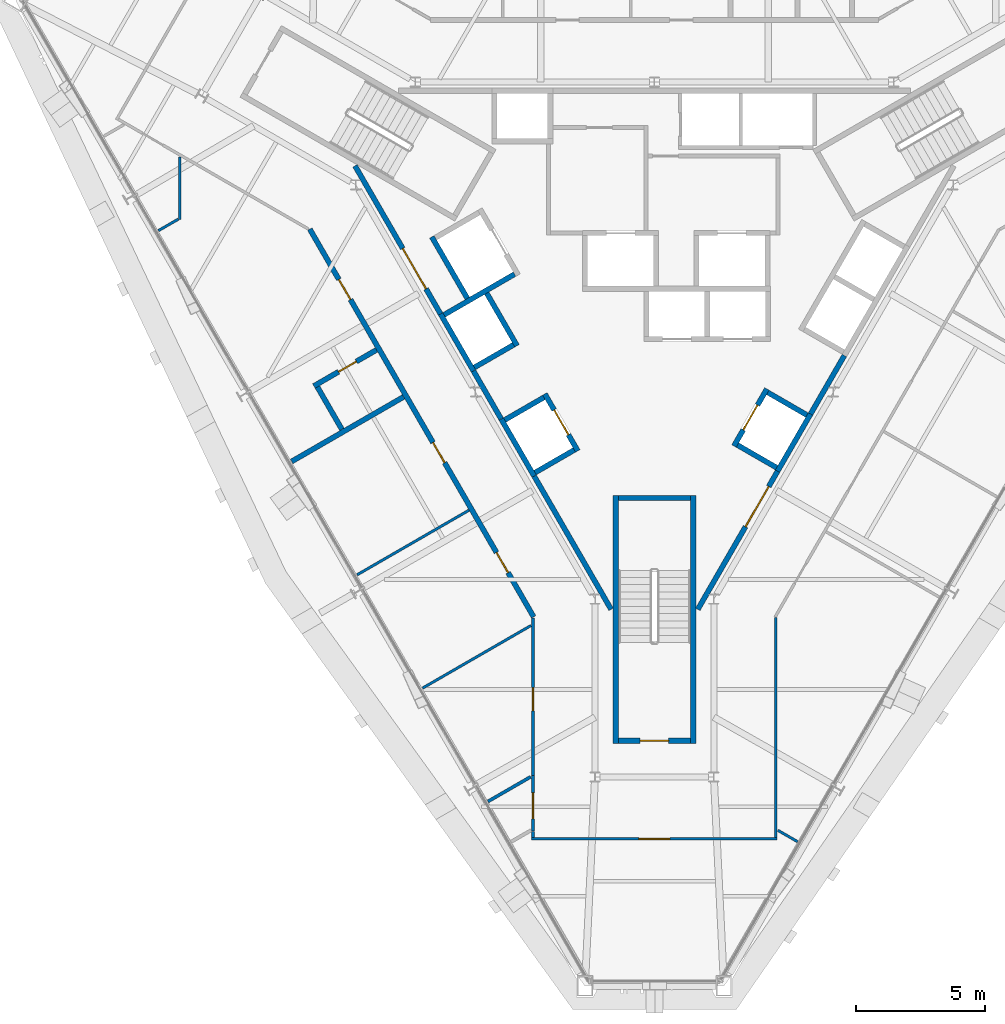
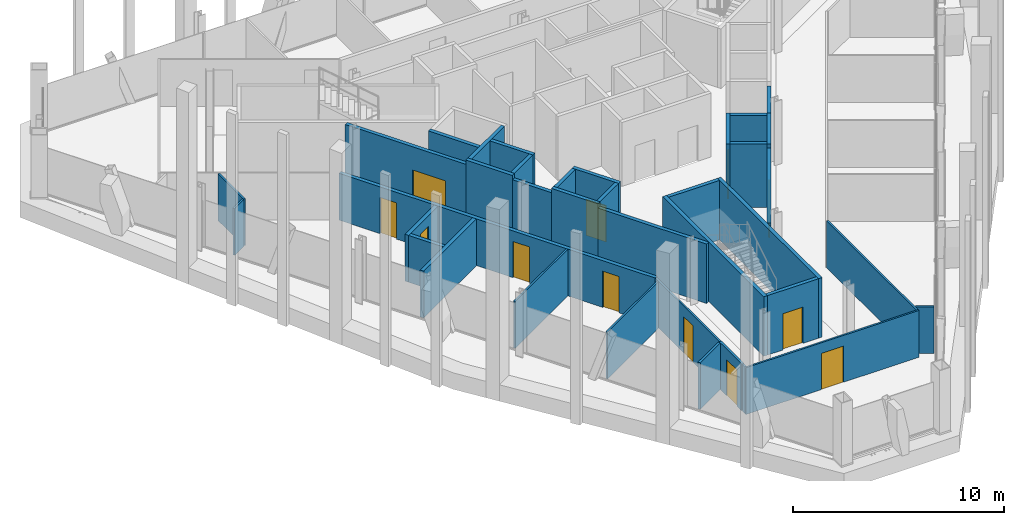
# One storey, part 9 of 14: 37 walls, 12 doors, 12 openings.
"""IFC4 building model written with IfcOpenShell, lengths in metres."""

from ifc_helpers import new_model, si_unit, direction, frame, frame_2d, origin, place, context, subcontext, project, spatial, rectangle, extrude, material, layer, layer_set, type_object, element, fill, save


model = new_model("IFC4")

# Units and contexts
model_context = context("Model", 3, precision=1e-05, world=origin(), true_north=direction((0.0, 1.0)))
body_context = subcontext(model_context, "Body", "Model", "MODEL_VIEW")
ifc_project = project(units=[si_unit("LENGTHUNIT", "METRE"), si_unit("AREAUNIT", "SQUARE_METRE"), si_unit("VOLUMEUNIT", "CUBIC_METRE"), si_unit("PLANEANGLEUNIT", "RADIAN"), si_unit("MASSUNIT", "GRAM", prefix="KILO")], contexts=[model_context])

# Site, building, storey
site_placement = place(None, origin())
site = spatial("IfcSite", under=ifc_project, at=site_placement, CompositionType="ELEMENT")
building_placement = place(site_placement, origin())
building = spatial("IfcBuilding", under=site, at=building_placement, Name="Verrane Prism Tower", CompositionType="ELEMENT")
storey_placement = place(building_placement, frame((0.0, 0.0, 217.5)))
storey = spatial("IfcBuildingStorey", under=building, at=storey_placement, Name="L54", CompositionType="ELEMENT", Elevation=217.5)

# Wall, opening, door
ifc_material_1 = material(Name="Gypsum board partition", Category="other")
ifc_layer_1 = layer(ifc_material_1, 0.199951171875)
ifc_layer_set_1 = layer_set([ifc_layer_1], Name="CW-200 core boundary wall 2 h")
wall_type_1 = type_object("IfcWallType", Name="CW-200 core boundary wall 2 h", PredefinedType="PARTITIONING", material=ifc_layer_set_1)
wall_1_placement = place(storey_placement, frame((-11.590576171875, 4.7548828125, 0.0), z_axis=(0.0, 0.0, 1.0), x_axis=(0.500043977787, -0.866000011708, 0.0)))
wall_1 = element("IfcWall", 1, at=wall_1_placement, inside=storey, type_object=wall_type_1, Name="Core boundary wall CW3-001", PredefinedType="PARTITIONING", context=body_context, shape_type="SweptSolid", body=[
    extrude(rectangle(XDim=6.61669921875, YDim=0.199951171875, at=frame_2d((3.308349609375, 0.0))), origin(), (0.0, 0.0, 1.0), 3.449951171875),
])
opening_1_placement = place(wall_1_placement, frame((3.695068359375, 0.0, 0.0)))
opening_1 = element("IfcOpeningElement", 2, at=opening_1_placement, cuts=wall_1, Name="Opening D54510", PredefinedType="OPENING", context=body_context, shape_type="SweptSolid", body=[
    extrude(rectangle(XDim=1.800048828125, YDim=2.10009765625, at=frame_2d((0.89990234375, 1.050048828125))), frame((0.0, 0.10986328125, 0.0), z_axis=(0.0, -1.0, 0.0), x_axis=(1.0, 0.0, 0.0)), (0.0, 0.0, 1.0), 0.219970703125),
])
ifc_material_2 = material(Name="Timber veneered door leaf", Category="wood")
door_type_1 = type_object("IfcDoorType", Name="DR-1800x2100 FD60 double leaf lift lobby", OperationType="NOTDEFINED", PredefinedType="DOOR", material=ifc_material_2)
door_1_placement = place(opening_1_placement, origin())
door_1 = element("IfcDoor", 3, at=door_1_placement, inside=storey, type_object=door_type_1, Name="Lift lobby door D54510", OperationType="DOUBLE_DOOR_SINGLE_SWING", OverallHeight=2.10009765625, OverallWidth=1.800048828125, PredefinedType="DOOR", context=body_context, shape_type="SweptSolid", body=[
    extrude(rectangle(XDim=1.800048828125, YDim=2.10009765625, at=frame_2d((0.89990234375, 1.050048828125))), frame((0.0, 0.02490234375, 0.0), z_axis=(0.0, -1.0, 0.0), x_axis=(1.0, 0.0, 0.0)), (0.0, 0.0, 1.0), 0.050048828125),
])
fill(opening_1, door_1)

# Walls
wall_2_placement = place(storey_placement, frame((-7.0048828125, -3.18701171875, 0.0), z_axis=(0.0, 0.0, 1.0), x_axis=(0.499689606989, -0.866204535123, 0.0)))
element("IfcWall", 4, at=wall_2_placement, inside=storey, type_object=wall_type_1, Name="Core boundary wall CW3-003", PredefinedType="PARTITIONING", context=body_context, shape_type="SweptSolid", body=[
    extrude(rectangle(XDim=2.144775390625, YDim=0.199951171875, at=frame_2d((1.072265625, 0.0))), origin(), (0.0, 0.0, 1.0), 3.449951171875),
])
wall_3_placement = place(storey_placement, frame((-4.655029296875, -7.257080078125, 0.0), z_axis=(0.0, 0.0, 1.0), x_axis=(0.499966124405, -0.866044960985, 0.0)))
element("IfcWall", 5, at=wall_3_placement, inside=storey, type_object=wall_type_1, Name="Core boundary wall CW3-004", PredefinedType="PARTITIONING", context=body_context, shape_type="SweptSolid", body=[
    extrude(rectangle(XDim=5.95556640625, YDim=0.199951171875, at=frame_2d((2.977783203125, 0.0))), origin(), (0.0, 0.0, 1.0), 3.449951171875),
])

# Wall, opening, door
wall_4_placement = place(storey_placement, frame((1.677490234375, -12.414794921875, 0.0), z_axis=(0.0, 0.0, 1.0), x_axis=(0.500054337157, 0.865994029939, 0.0)))
wall_4 = element("IfcWall", 6, at=wall_4_placement, inside=storey, type_object=wall_type_1, Name="Core boundary wall CW3-006", PredefinedType="PARTITIONING", context=body_context, shape_type="SweptSolid", body=[
    extrude(rectangle(XDim=6.176513671875, YDim=0.199951171875, at=frame_2d((3.08837890625, 0.0))), origin(), (0.0, 0.0, 1.0), 3.449951171875),
])
opening_2_placement = place(wall_4_placement, frame((3.695068359375, 0.0, 0.0)))
opening_2 = element("IfcOpeningElement", 7, at=opening_2_placement, cuts=wall_4, Name="Opening D54515", PredefinedType="OPENING", context=body_context, shape_type="SweptSolid", body=[
    extrude(rectangle(XDim=1.800048828125, YDim=2.10009765625, at=frame_2d((0.89990234375, 1.050048828125))), frame((0.0, 0.10986328125, 0.0), z_axis=(0.0, -1.0, 0.0), x_axis=(1.0, 0.0, 0.0)), (0.0, 0.0, 1.0), 0.219970703125),
])
door_2_placement = place(opening_2_placement, origin())
door_2 = element("IfcDoor", 8, at=door_2_placement, inside=storey, type_object=door_type_1, Name="Lift lobby door D54515", OperationType="DOUBLE_DOOR_SINGLE_SWING", OverallHeight=2.10009765625, OverallWidth=1.800048828125, PredefinedType="DOOR", context=body_context, shape_type="SweptSolid", body=[
    extrude(rectangle(XDim=1.800048828125, YDim=2.10009765625, at=frame_2d((0.89990234375, 1.050048828125))), frame((0.0, 0.02490234375, 0.0), z_axis=(0.0, -1.0, 0.0), x_axis=(1.0, 0.0, 0.0)), (0.0, 0.0, 1.0), 0.050048828125),
])
fill(opening_2, door_2)

# Wall
wall_5_placement = place(storey_placement, frame((6.0419921875, -4.85498046875, 0.0), z_axis=(0.0, 0.0, 1.0), x_axis=(0.500252727967, 0.865879442048, 0.0)))
element("IfcWall", 9, at=wall_5_placement, inside=storey, type_object=wall_type_1, Name="Core boundary wall CW3-007", PredefinedType="PARTITIONING", context=body_context, shape_type="SweptSolid", body=[
    extrude(rectangle(XDim=2.616943359375, YDim=0.199951171875, at=frame_2d((1.30859375, 0.0))), origin(), (0.0, 0.0, 1.0), 3.449951171875),
])

# Wall, opening, door
ifc_material_3 = material(Name="Concrete C40/50", Category="concrete")
ifc_layer_2 = layer(ifc_material_3, 0.199951171875)
ifc_layer_set_2 = layer_set([ifc_layer_2], Name="CW-200 stair core wall concrete C40/50 3 h")
wall_type_2 = type_object("IfcWallType", Name="CW-200 stair core wall concrete C40/50 3 h", PredefinedType="PARTITIONING", material=ifc_layer_set_2)
wall_6_placement = place(storey_placement, frame((-1.39990234375, -17.5, 0.0), z_axis=(0.0, 0.0, 1.0), x_axis=(1.0, 0.0, 0.0)))
wall_6 = element("IfcWall", 10, at=wall_6_placement, inside=storey, type_object=wall_type_2, Name="Stair 3 enclosure wall", PredefinedType="PARTITIONING", context=body_context, shape_type="SweptSolid", body=[
    extrude(rectangle(XDim=2.7998046875, YDim=0.199951171875, at=frame_2d((1.39990234375, 0.0))), origin(), (0.0, 0.0, 1.0), 3.449951171875),
])
opening_3_placement = place(wall_6_placement, frame((0.85009765625, 0.0, 0.0)))
opening_3 = element("IfcOpeningElement", 11, at=opening_3_placement, cuts=wall_6, Name="Opening D54502", PredefinedType="OPENING", context=body_context, shape_type="SweptSolid", body=[
    extrude(rectangle(XDim=1.10009765625, YDim=2.10009765625, at=frame_2d((0.550048828125, 1.050048828125))), frame((0.0, 0.10986328125, 0.0), z_axis=(0.0, -1.0, 0.0), x_axis=(1.0, 0.0, 0.0)), (0.0, 0.0, 1.0), 0.219970703125),
])
ifc_material_4 = material(Name="Timber veneered door leaf", Category="wood")
door_type_2 = type_object("IfcDoorType", Name="DR-1100x2100 FD90 single leaf stair", OperationType="NOTDEFINED", PredefinedType="DOOR", material=ifc_material_4)
door_3_placement = place(opening_3_placement, origin())
door_3 = element("IfcDoor", 12, at=door_3_placement, inside=storey, type_object=door_type_2, Name="Stair 3 door", OperationType="SINGLE_SWING_LEFT", OverallHeight=2.10009765625, OverallWidth=1.10009765625, PredefinedType="DOOR", context=body_context, shape_type="SweptSolid", body=[
    extrude(rectangle(XDim=1.10009765625, YDim=2.10009765625, at=frame_2d((0.550048828125, 1.050048828125))), frame((0.0, 0.02490234375, 0.0), z_axis=(0.0, -1.0, 0.0), x_axis=(1.0, 0.0, 0.0)), (0.0, 0.0, 1.0), 0.050048828125),
])
fill(opening_3, door_3)

# Walls
for number, where, z_axis, x_axis, name in (
    (13, (1.5, -8.0, 0.0), (0.0, 0.0, 1.0), (0.0, -1.0, 0.0), "Stair 3 enclosure wall"),
    (14, (-1.5, -8.0, 0.0), (0.0, 0.0, 1.0), (0.0, -1.0, 0.0), "Stair 3 enclosure wall"),
):
    element("IfcWall", number, at=place(storey_placement, frame(where, z_axis=z_axis, x_axis=x_axis)), inside=storey, type_object=wall_type_2, Name=name, PredefinedType="PARTITIONING", context=body_context, shape_type="SweptSolid", body=[
        extrude(rectangle(XDim=9.60009765625, YDim=0.199951171875, at=frame_2d((4.800048828125, 0.0))), origin(), (0.0, 0.0, 1.0), 3.449951171875),
    ])
wall_7_placement = place(storey_placement, frame((-1.39990234375, -8.10009765625, 0.0), z_axis=(0.0, 0.0, 1.0), x_axis=(1.0, 0.0, 0.0)))
element("IfcWall", 15, at=wall_7_placement, inside=storey, type_object=wall_type_2, Name="Stair 3 enclosure wall", PredefinedType="PARTITIONING", context=body_context, shape_type="SweptSolid", body=[
    extrude(rectangle(XDim=2.7998046875, YDim=0.199951171875, at=frame_2d((1.39990234375, 0.0))), origin(), (0.0, 0.0, 1.0), 3.449951171875),
])
ifc_material_5 = material(Name="Gypsum board shaft wall assembly", Category="other")
ifc_layer_3 = layer(ifc_material_5, 0.199951171875)
ifc_layer_set_3 = layer_set([ifc_layer_3], Name="HW-200 lift shaft wall 2 h")
wall_type_3 = type_object("IfcWallType", Name="HW-200 lift shaft wall 2 h", PredefinedType="PARTITIONING", material=ifc_layer_set_3)
for number, where, z_axis, x_axis, name in (
    (16, (-4.61962890625, -7.118408203125, 0.0), (0.0, 0.0, 1.0), (0.866036909293, 0.499980071345, 0.0), "Lift shaft wall"),
    (17, (-5.794677734375, -5.083251953125, 0.0), (0.0, 0.0, 1.0), (0.866036909293, 0.499980071345, 0.0), "Lift shaft wall"),
    (18, (-6.9697265625, -3.048095703125, 0.0), (0.0, 0.0, 1.0), (0.866036909293, 0.499980071345, 0.0), "Lift shaft wall"),
):
    element("IfcWall", number, at=place(storey_placement, frame(where, z_axis=z_axis, x_axis=x_axis)), inside=storey, type_object=wall_type_3, Name=name, PredefinedType="PARTITIONING", context=body_context, shape_type="SweptSolid", body=[
        extrude(rectangle(XDim=1.75, YDim=0.199951171875, at=frame_2d((0.875, 0.0))), origin(), (0.0, 0.0, 1.0), 3.699951171875),
    ])
wall_8_placement = place(storey_placement, frame((-8.14453125, -1.012939453125, 0.0), z_axis=(0.0, 0.0, 1.0), x_axis=(0.866016494683, 0.500015430699, 0.0)))
element("IfcWall", 19, at=wall_8_placement, inside=storey, type_object=wall_type_3, Name="Lift shaft wall", PredefinedType="PARTITIONING", context=body_context, shape_type="SweptSolid", body=[
    extrude(rectangle(XDim=3.14990234375, YDim=0.199951171875, at=frame_2d((1.574951171875, 0.0))), origin(), (0.0, 0.0, 1.0), 3.699951171875),
])
wall_9_placement = place(storey_placement, frame((4.766357421875, -7.064697265625, 0.0), z_axis=(0.0, 0.0, 1.0), x_axis=(0.499948979701, 0.866054858364, 0.0)))
element("IfcWall", 20, at=wall_9_placement, inside=storey, type_object=wall_type_3, Name="Lift shaft wall", PredefinedType="PARTITIONING", context=body_context, shape_type="SweptSolid", body=[
    extrude(rectangle(XDim=2.550048828125, YDim=0.199951171875, at=frame_2d((1.27490234375, 0.0))), origin(), (0.0, 0.0, 1.0), 3.699951171875),
])

# Wall, opening, door
wall_10_placement = place(storey_placement, frame((3.077392578125, -6.089599609375, 0.0), z_axis=(0.0, 0.0, 1.0), x_axis=(0.500062241894, 0.865989465428, 0.0)))
wall_10 = element("IfcWall", 21, at=wall_10_placement, inside=storey, type_object=wall_type_3, Name="Lift shaft wall", PredefinedType="PARTITIONING", context=body_context, shape_type="SweptSolid", body=[
    extrude(rectangle(XDim=2.550048828125, YDim=0.199951171875, at=frame_2d((1.27490234375, 0.0))), origin(), (0.0, 0.0, 1.0), 3.699951171875),
])
opening_4_placement = place(wall_10_placement, frame((0.72509765625, 0.0, 0.0)))
opening_4 = element("IfcOpeningElement", 22, at=opening_4_placement, cuts=wall_10, Name="Opening D54505", PredefinedType="OPENING", context=body_context, shape_type="SweptSolid", body=[
    extrude(rectangle(XDim=1.10009765625, YDim=2.10009765625, at=frame_2d((0.550048828125, 1.050048828125))), frame((0.0, 0.10986328125, 0.0), z_axis=(0.0, -1.0, 0.0), x_axis=(1.0, 0.0, 0.0)), (0.0, 0.0, 1.0), 0.219970703125),
])
ifc_material_6 = material(Name="Stainless steel sliding landing door", Category="steel")
door_type_3 = type_object("IfcDoorType", Name="LD-1100x2100 lift landing door FD90 sliding", OperationType="NOTDEFINED", PredefinedType="DOOR", material=ifc_material_6)
door_4_placement = place(opening_4_placement, origin())
door_4 = element("IfcDoor", 23, at=door_4_placement, inside=storey, type_object=door_type_3, Name="Bank B lift 3 landing door", OperationType="SLIDING_TO_LEFT", OverallHeight=2.10009765625, OverallWidth=1.10009765625, PredefinedType="DOOR", context=body_context, shape_type="SweptSolid", body=[
    extrude(rectangle(XDim=1.10009765625, YDim=2.10009765625, at=frame_2d((0.550048828125, 1.050048828125))), frame((0.0, 0.02490234375, 0.0), z_axis=(0.0, -1.0, 0.0), x_axis=(1.0, 0.0, 0.0)), (0.0, 0.0, 1.0), 0.050048828125),
])
fill(opening_4, door_4)

wall_11_placement = place(storey_placement, frame((-2.967529296875, -6.280029296875, 0.0), z_axis=(0.0, 0.0, 1.0), x_axis=(-0.499990435942, 0.866030925526, 0.0)))
wall_11 = element("IfcWall", 24, at=wall_11_placement, inside=storey, type_object=wall_type_3, Name="Lift shaft wall", PredefinedType="PARTITIONING", context=body_context, shape_type="SweptSolid", body=[
    extrude(rectangle(XDim=2.5498046875, YDim=0.199951171875, at=frame_2d((1.27490234375, 0.0))), origin(), (0.0, 0.0, 1.0), 3.699951171875),
])
opening_5_placement = place(wall_11_placement, frame((0.72509765625, 0.0, 0.0)))
opening_5 = element("IfcOpeningElement", 25, at=opening_5_placement, cuts=wall_11, Name="Opening D54506", PredefinedType="OPENING", context=body_context, shape_type="SweptSolid", body=[
    extrude(rectangle(XDim=1.10009765625, YDim=2.10009765625, at=frame_2d((0.550048828125, 1.050048828125))), frame((0.0, 0.10986328125, 0.0), z_axis=(0.0, -1.0, 0.0), x_axis=(1.0, 0.0, 0.0)), (0.0, 0.0, 1.0), 0.219970703125),
])
door_5_placement = place(opening_5_placement, origin())
door_5 = element("IfcDoor", 26, at=door_5_placement, inside=storey, type_object=door_type_3, Name="Bank B lift 4 landing door", OperationType="SLIDING_TO_RIGHT", OverallHeight=2.10009765625, OverallWidth=1.10009765625, PredefinedType="DOOR", context=body_context, shape_type="SweptSolid", body=[
    extrude(rectangle(XDim=1.10009765625, YDim=2.10009765625, at=frame_2d((0.550048828125, 1.050048828125))), frame((0.0, 0.02490234375, 0.0), z_axis=(0.0, -1.0, 0.0), x_axis=(1.0, 0.0, 0.0)), (0.0, 0.0, 1.0), 0.050048828125),
])
fill(opening_5, door_5)

# Walls
wall_12_placement = place(storey_placement, frame((-5.317626953125, -2.209716796875, 0.0), z_axis=(0.0, 0.0, 1.0), x_axis=(-0.499938297808, 0.866061024631, 0.0)))
element("IfcWall", 27, at=wall_12_placement, inside=storey, type_object=wall_type_3, Name="Lift shaft wall", PredefinedType="PARTITIONING", context=body_context, shape_type="SweptSolid", body=[
    extrude(rectangle(XDim=2.349853515625, YDim=0.199951171875, at=frame_2d((1.1748046875, 0.0))), origin(), (0.0, 0.0, 1.0), 3.699951171875),
])
wall_13_placement = place(storey_placement, frame((-7.241943359375, -0.37646484375, 0.0), z_axis=(0.0, 0.0, 1.0), x_axis=(-0.499996545922, 0.866027397988, 0.0)))
element("IfcWall", 28, at=wall_13_placement, inside=storey, type_object=wall_type_3, Name="Lift shaft wall", PredefinedType="PARTITIONING", context=body_context, shape_type="SweptSolid", body=[
    extrude(rectangle(XDim=2.75, YDim=0.199951171875, at=frame_2d((1.375, 0.0))), origin(), (0.0, 0.0, 1.0), 3.699951171875),
])
for number, where, z_axis, x_axis, name in (
    (29, (-4.65625, -7.255126953125, 0.0), (0.0, 0.0, 1.0), (-0.499990435942, 0.866030925526, 0.0), "Lift shaft wall"),
    (30, (-7.00634765625, -3.184814453125, 0.0), (0.0, 0.0, 1.0), (-0.499990435942, 0.866030925526, 0.0), "Lift shaft wall"),
):
    element("IfcWall", number, at=place(storey_placement, frame(where, z_axis=z_axis, x_axis=x_axis)), inside=storey, type_object=wall_type_3, Name=name, PredefinedType="PARTITIONING", context=body_context, shape_type="SweptSolid", body=[
        extrude(rectangle(XDim=2.5498046875, YDim=0.199951171875, at=frame_2d((1.27490234375, 0.0))), origin(), (0.0, 0.0, 1.0), 3.699951171875),
    ])
wall_14_placement = place(storey_placement, frame((5.904541015625, -4.892822265625, 0.0), z_axis=(0.0, 0.0, 1.0), x_axis=(-0.866002029911, 0.500040482552, 0.0)))
element("IfcWall", 31, at=wall_14_placement, inside=storey, type_object=wall_type_3, Name="Lift shaft wall", PredefinedType="PARTITIONING", context=body_context, shape_type="SweptSolid", body=[
    extrude(rectangle(XDim=1.749755859375, YDim=0.199951171875, at=frame_2d((0.875, 0.0))), origin(), (0.0, 0.0, 1.0), 3.699951171875),
])
wall_15_placement = place(storey_placement, frame((4.729736328125, -6.927978515625, 0.0), z_axis=(0.0, 0.0, 1.0), x_axis=(-0.866036909293, 0.499980071345, 0.0)))
element("IfcWall", 32, at=wall_15_placement, inside=storey, type_object=wall_type_3, Name="Lift shaft wall", PredefinedType="PARTITIONING", context=body_context, shape_type="SweptSolid", body=[
    extrude(rectangle(XDim=1.75, YDim=0.199951171875, at=frame_2d((0.875, 0.0))), origin(), (0.0, 0.0, 1.0), 3.699951171875),
])
ifc_material_7 = material(Name="Gypsum board partition", Category="other")
ifc_layer_4 = layer(ifc_material_7, 0.10009765625)
ifc_layer_set_4 = layer_set([ifc_layer_4], Name="PW-100 room partition")
wall_type_4 = type_object("IfcWallType", Name="PW-100 room partition", PredefinedType="PARTITIONING", material=ifc_layer_set_4)
wall_16_placement = place(storey_placement, frame((-19.201904296875, 2.2470703125, 0.0), z_axis=(0.0, 0.0, 1.0), x_axis=(0.86604424267, 0.499967368674, 0.0)))
element("IfcWall", 33, at=wall_16_placement, inside=storey, type_object=wall_type_4, Name="Room partition 004", PredefinedType="PARTITIONING", context=body_context, shape_type="SweptSolid", body=[
    extrude(rectangle(XDim=0.8916015625, YDim=0.10009765625, at=frame_2d((0.44580078125, 0.0))), origin(), (0.0, 0.0, 1.0), 2.712890625),
])
wall_17_placement = place(storey_placement, frame((-18.368896484375, 2.677978515625, 0.0), z_axis=(0.0, 0.0, 1.0), x_axis=(0.0, 1.0, 0.0)))
element("IfcWall", 34, at=wall_17_placement, inside=storey, type_object=wall_type_4, Name="Room partition 005", PredefinedType="PARTITIONING", context=body_context, shape_type="SweptSolid", body=[
    extrude(rectangle(XDim=2.414306640625, YDim=0.10009765625, at=frame_2d((1.20703125, 0.0))), origin(), (0.0, 0.0, 1.0), 2.712890625),
])
wall_18_placement = place(storey_placement, frame((-11.509765625, -11.075927734375, 0.0), z_axis=(0.0, 0.0, 1.0), x_axis=(0.866053039883, 0.499952129818, 0.0)))
element("IfcWall", 35, at=wall_18_placement, inside=storey, type_object=wall_type_4, Name="Room partition 011", PredefinedType="PARTITIONING", context=body_context, shape_type="SweptSolid", body=[
    extrude(rectangle(XDim=4.99951171875, YDim=0.10009765625, at=frame_2d((2.499755859375, 0.0))), origin(), (0.0, 0.0, 1.0), 2.712890625),
])
wall_19_placement = place(storey_placement, frame((-8.976806640625, -15.463134765625, 0.0), z_axis=(0.0, 0.0, 1.0), x_axis=(0.866042300147, 0.4999707335, 0.0)))
element("IfcWall", 36, at=wall_19_placement, inside=storey, type_object=wall_type_4, Name="Room partition 013", PredefinedType="PARTITIONING", context=body_context, shape_type="SweptSolid", body=[
    extrude(rectangle(XDim=4.851806640625, YDim=0.10009765625, at=frame_2d((2.42578125, 0.0))), origin(), (0.0, 0.0, 1.0), 2.712890625),
])
wall_20_placement = place(storey_placement, frame((-4.699951171875, -21.25, 0.0), z_axis=(0.0, 0.0, 1.0), x_axis=(0.0, 1.0, 0.0)))
element("IfcWall", 37, at=wall_20_placement, inside=storey, type_object=wall_type_4, Name="Room partition 018", PredefinedType="PARTITIONING", context=body_context, shape_type="SweptSolid", body=[
    extrude(rectangle(XDim=0.22802734375, YDim=0.10009765625, at=frame_2d((0.114013671875, 0.0))), origin(), (0.0, 0.0, 1.0), 2.712890625),
])

# Wall, opening, door
wall_21_placement = place(storey_placement, frame((4.75, -21.300048828125, 0.0), z_axis=(0.0, 0.0, 1.0), x_axis=(-1.0, 0.0, 0.0)))
wall_21 = element("IfcWall", 38, at=wall_21_placement, inside=storey, type_object=wall_type_4, Name="Room partition 019", PredefinedType="PARTITIONING", context=body_context, shape_type="SweptSolid", body=[
    extrude(rectangle(XDim=9.5, YDim=0.10009765625, at=frame_2d((4.75, 0.0))), origin(), (0.0, 0.0, 1.0), 2.712890625),
])
opening_6_placement = place(wall_21_placement, frame((4.14990234375, 0.0, 0.0)))
opening_6 = element("IfcOpeningElement", 39, at=opening_6_placement, cuts=wall_21, Name="Opening D54020", PredefinedType="OPENING", context=body_context, shape_type="SweptSolid", body=[
    extrude(rectangle(XDim=1.199951171875, YDim=2.10009765625, at=frame_2d((0.60009765625, 1.050048828125))), frame((0.0, 0.06005859375, 0.0), z_axis=(0.0, -1.0, 0.0), x_axis=(1.0, 0.0, 0.0)), (0.0, 0.0, 1.0), 0.1201171875),
])
ifc_material_8 = material(Name="Timber veneered door leaf", Category="wood")
door_type_4 = type_object("IfcDoorType", Name="DR-1200x2100 single leaf unit", OperationType="NOTDEFINED", PredefinedType="DOOR", material=ifc_material_8)
door_6_placement = place(opening_6_placement, origin())
door_6 = element("IfcDoor", 40, at=door_6_placement, inside=storey, type_object=door_type_4, Name="Living And Dining Room door", OperationType="SINGLE_SWING_LEFT", OverallHeight=2.10009765625, OverallWidth=1.199951171875, PredefinedType="DOOR", context=body_context, shape_type="SweptSolid", body=[
    extrude(rectangle(XDim=1.199951171875, YDim=2.10009765625, at=frame_2d((0.60009765625, 1.050048828125))), frame((0.0, 0.02490234375, 0.0), z_axis=(0.0, -1.0, 0.0), x_axis=(1.0, 0.0, 0.0)), (0.0, 0.0, 1.0), 0.050048828125),
])
fill(opening_6, door_6)

wall_22_placement = place(storey_placement, frame((-4.699951171875, -18.843994140625, 0.0), z_axis=(0.0, 0.0, 1.0), x_axis=(0.0, 1.0, 0.0)))
wall_22 = element("IfcWall", 41, at=wall_22_placement, inside=storey, type_object=wall_type_4, Name="Room partition 021", PredefinedType="PARTITIONING", context=body_context, shape_type="SweptSolid", body=[
    extrude(rectangle(XDim=6.095947265625, YDim=0.10009765625, at=frame_2d((3.0478515625, 0.0))), origin(), (0.0, 0.0, 1.0), 2.712890625),
])
opening_7_placement = place(wall_22_placement, frame((2.5, 0.0, 0.0)))
opening_7 = element("IfcOpeningElement", 42, at=opening_7_placement, cuts=wall_22, Name="Opening D54019", PredefinedType="OPENING", context=body_context, shape_type="SweptSolid", body=[
    extrude(rectangle(XDim=0.89990234375, YDim=2.10009765625, at=frame_2d((0.449951171875, 1.050048828125))), frame((0.0, 0.06005859375, 0.0), z_axis=(0.0, -1.0, 0.0), x_axis=(1.0, 0.0, 0.0)), (0.0, 0.0, 1.0), 0.1201171875),
])
ifc_material_9 = material(Name="Timber veneered door leaf", Category="wood")
door_type_5 = type_object("IfcDoorType", Name="DR-900x2100 single leaf unit", OperationType="NOTDEFINED", PredefinedType="DOOR", material=ifc_material_9)
door_7_placement = place(opening_7_placement, origin())
door_7 = element("IfcDoor", 43, at=door_7_placement, inside=storey, type_object=door_type_5, Name="Study door", OperationType="SINGLE_SWING_LEFT", OverallHeight=2.10009765625, OverallWidth=0.89990234375, PredefinedType="DOOR", context=body_context, shape_type="SweptSolid", body=[
    extrude(rectangle(XDim=0.89990234375, YDim=2.10009765625, at=frame_2d((0.449951171875, 1.050048828125))), frame((0.0, 0.02490234375, 0.0), z_axis=(0.0, -1.0, 0.0), x_axis=(1.0, 0.0, 0.0)), (0.0, 0.0, 1.0), 0.050048828125),
])
fill(opening_7, door_7)

# Walls
wall_23_placement = place(storey_placement, frame((4.699951171875, -21.25, 0.0), z_axis=(0.0, 0.0, 1.0), x_axis=(0.0, 1.0, 0.0)))
element("IfcWall", 44, at=wall_23_placement, inside=storey, type_object=wall_type_4, Name="Room partition 025", PredefinedType="PARTITIONING", context=body_context, shape_type="SweptSolid", body=[
    extrude(rectangle(XDim=8.51708984375, YDim=0.10009765625, at=frame_2d((4.258544921875, 0.0))), origin(), (0.0, 0.0, 1.0), 2.712890625),
])
wall_24_placement = place(storey_placement, frame((4.77490234375, -20.96533203125, 0.0), z_axis=(0.0, 0.0, 1.0), x_axis=(0.866103179807, -0.499865263774, 0.0)))
element("IfcWall", 45, at=wall_24_placement, inside=storey, type_object=wall_type_4, Name="Room partition 026", PredefinedType="PARTITIONING", context=body_context, shape_type="SweptSolid", body=[
    extrude(rectangle(XDim=0.887939453125, YDim=0.10009765625, at=frame_2d((0.44384765625, 0.0))), origin(), (0.0, 0.0, 1.0), 2.712890625),
])
ifc_material_10 = material(Name="Gypsum board partition", Category="other")
ifc_layer_5 = layer(ifc_material_10, 0.125)
ifc_layer_set_5 = layer_set([ifc_layer_5], Name="PW-125 corridor wall 1 h")
wall_type_5 = type_object("IfcWallType", Name="PW-125 corridor wall 1 h", PredefinedType="PARTITIONING", material=ifc_layer_set_5)
wall_25_placement = place(storey_placement, frame((-6.44384765625, -19.85009765625, 0.0), z_axis=(0.0, 0.0, 1.0), x_axis=(0.866172805685, 0.499744605466, 0.0)))
element("IfcWall", 46, at=wall_25_placement, inside=storey, type_object=wall_type_5, Name="Corridor wall 015", PredefinedType="PARTITIONING", context=body_context, shape_type="SweptSolid", body=[
    extrude(rectangle(XDim=1.908203125, YDim=0.125, at=frame_2d((0.9541015625, 0.0))), origin(), (0.0, 0.0, 1.0), 2.712890625),
])

# Wall, opening, door
wall_26_placement = place(storey_placement, frame((-4.699951171875, -18.846435546875, 0.0), z_axis=(0.0, 0.0, 1.0), x_axis=(0.0, -1.0, 0.0)))
wall_26 = element("IfcWall", 47, at=wall_26_placement, inside=storey, type_object=wall_type_5, Name="Corridor wall 020", PredefinedType="PARTITIONING", context=body_context, shape_type="SweptSolid", body=[
    extrude(rectangle(XDim=2.13818359375, YDim=0.125, at=frame_2d((1.069091796875, 0.0))), origin(), (0.0, 0.0, 1.0), 2.712890625),
])
opening_8_placement = place(wall_26_placement, frame((0.675537109375, 0.0, 0.0)))
opening_8 = element("IfcOpeningElement", 48, at=opening_8_placement, cuts=wall_26, Name="Opening D54021", PredefinedType="OPENING", context=body_context, shape_type="SweptSolid", body=[
    extrude(rectangle(XDim=1.0, YDim=2.10009765625, at=frame_2d((0.5, 1.050048828125))), frame((0.0, 0.072509765625, 0.0), z_axis=(0.0, -1.0, 0.0), x_axis=(1.0, 0.0, 0.0)), (0.0, 0.0, 1.0), 0.14501953125),
])
ifc_material_11 = material(Name="Timber veneered door leaf", Category="wood")
door_type_6 = type_object("IfcDoorType", Name="DR-1000x2100 FD20 single leaf unit", OperationType="NOTDEFINED", PredefinedType="DOOR", material=ifc_material_11)
door_8_placement = place(opening_8_placement, origin())
door_8 = element("IfcDoor", 49, at=door_8_placement, inside=storey, type_object=door_type_6, Name="Entrance Hall door", OperationType="SINGLE_SWING_RIGHT", OverallHeight=2.10009765625, OverallWidth=1.0, PredefinedType="DOOR", context=body_context, shape_type="SweptSolid", body=[
    extrude(rectangle(XDim=1.0, YDim=2.10009765625, at=frame_2d((0.5, 1.050048828125))), frame((0.0, 0.02490234375, 0.0), z_axis=(0.0, -1.0, 0.0), x_axis=(1.0, 0.0, 0.0)), (0.0, 0.0, 1.0), 0.050048828125),
])
fill(opening_8, door_8)

# Wall
ifc_material_12 = material(Name="Gypsum board partition", Category="other")
ifc_layer_6 = layer(ifc_material_12, 0.199951171875)
ifc_layer_set_6 = layer_set([ifc_layer_6], Name="PW-200 plumbing wall")
wall_type_6 = type_object("IfcWallType", Name="PW-200 plumbing wall", PredefinedType="PARTITIONING", material=ifc_layer_set_6)
wall_27_placement = place(storey_placement, frame((-14.042724609375, -6.68896484375, 0.0), z_axis=(0.0, 0.0, 1.0), x_axis=(0.866053039883, 0.499952129818, 0.0)))
element("IfcWall", 50, at=wall_27_placement, inside=storey, type_object=wall_type_6, Name="Plumbing wall 007", PredefinedType="PARTITIONING", context=body_context, shape_type="SweptSolid", body=[
    extrude(rectangle(XDim=4.99951171875, YDim=0.199951171875, at=frame_2d((2.499755859375, 0.0))), origin(), (0.0, 0.0, 1.0), 2.712890625),
])

# Wall, openings, doors
wall_28_placement = place(storey_placement, frame((-4.675048828125, -12.706298828125, 0.0), z_axis=(0.0, 0.0, 1.0), x_axis=(-0.49997440863, 0.866040178465, 0.0)))
wall_28 = element("IfcWall", 51, at=wall_28_placement, inside=storey, type_object=wall_type_6, Name="Plumbing wall 008", PredefinedType="PARTITIONING", context=body_context, shape_type="SweptSolid", body=[
    extrude(rectangle(XDim=17.3349609375, YDim=0.199951171875, at=frame_2d((8.66748046875, 0.0))), origin(), (0.0, 0.0, 1.0), 2.712890625),
])
opening_9_placement = place(wall_28_placement, frame((14.184814453125, 0.0, 0.0)))
opening_9 = element("IfcOpeningElement", 52, at=opening_9_placement, cuts=wall_28, Name="Opening D54015", PredefinedType="OPENING", context=body_context, shape_type="SweptSolid", body=[
    extrude(rectangle(XDim=0.89990234375, YDim=2.10009765625, at=frame_2d((0.449951171875, 1.050048828125))), frame((0.0, 0.10986328125, 0.0), z_axis=(0.0, -1.0, 0.0), x_axis=(1.0, 0.0, 0.0)), (0.0, 0.0, 1.0), 0.219970703125),
])
opening_10_placement = place(wall_28_placement, frame((6.894775390625, 0.0, 0.0)))
opening_10 = element("IfcOpeningElement", 53, at=opening_10_placement, cuts=wall_28, Name="Opening D54017", PredefinedType="OPENING", context=body_context, shape_type="SweptSolid", body=[
    extrude(rectangle(XDim=0.89990234375, YDim=2.10009765625, at=frame_2d((0.449951171875, 1.050048828125))), frame((0.0, 0.10986328125, 0.0), z_axis=(0.0, -1.0, 0.0), x_axis=(1.0, 0.0, 0.0)), (0.0, 0.0, 1.0), 0.219970703125),
])
opening_11_placement = place(wall_28_placement, frame((1.978759765625, 0.0, 0.0)))
opening_11 = element("IfcOpeningElement", 54, at=opening_11_placement, cuts=wall_28, Name="Opening D54018", PredefinedType="OPENING", context=body_context, shape_type="SweptSolid", body=[
    extrude(rectangle(XDim=0.89990234375, YDim=2.10009765625, at=frame_2d((0.449951171875, 1.050048828125))), frame((0.0, 0.10986328125, 0.0), z_axis=(0.0, -1.0, 0.0), x_axis=(1.0, 0.0, 0.0)), (0.0, 0.0, 1.0), 0.219970703125),
])
ifc_material_13 = material(Name="Timber veneered door leaf", Category="wood")
door_type_7 = type_object("IfcDoorType", Name="DR-900x2100 single leaf inner", OperationType="NOTDEFINED", PredefinedType="DOOR", material=ifc_material_13)
door_9_placement = place(opening_9_placement, origin())
door_9 = element("IfcDoor", 55, at=door_9_placement, inside=storey, type_object=door_type_7, Name="Bedroom door", OperationType="SINGLE_SWING_RIGHT", OverallHeight=2.10009765625, OverallWidth=0.89990234375, PredefinedType="DOOR", context=body_context, shape_type="SweptSolid", body=[
    extrude(rectangle(XDim=0.89990234375, YDim=2.10009765625, at=frame_2d((0.449951171875, 1.050048828125))), frame((0.0, 0.02490234375, 0.0), z_axis=(0.0, -1.0, 0.0), x_axis=(1.0, 0.0, 0.0)), (0.0, 0.0, 1.0), 0.050048828125),
])
fill(opening_9, door_9)
door_10_placement = place(opening_10_placement, origin())
door_10 = element("IfcDoor", 56, at=door_10_placement, inside=storey, type_object=door_type_5, Name="Study door", OperationType="SINGLE_SWING_RIGHT", OverallHeight=2.10009765625, OverallWidth=0.89990234375, PredefinedType="DOOR", context=body_context, shape_type="SweptSolid", body=[
    extrude(rectangle(XDim=0.89990234375, YDim=2.10009765625, at=frame_2d((0.449951171875, 1.050048828125))), frame((0.0, 0.02490234375, 0.0), z_axis=(0.0, -1.0, 0.0), x_axis=(1.0, 0.0, 0.0)), (0.0, 0.0, 1.0), 0.050048828125),
])
fill(opening_10, door_10)
door_11_placement = place(opening_11_placement, origin())
door_11 = element("IfcDoor", 57, at=door_11_placement, inside=storey, type_object=door_type_5, Name="Study door", OperationType="SINGLE_SWING_LEFT", OverallHeight=2.10009765625, OverallWidth=0.89990234375, PredefinedType="DOOR", context=body_context, shape_type="SweptSolid", body=[
    extrude(rectangle(XDim=0.89990234375, YDim=2.10009765625, at=frame_2d((0.449951171875, 1.050048828125))), frame((0.0, 0.02490234375, 0.0), z_axis=(0.0, -1.0, 0.0), x_axis=(1.0, 0.0, 0.0)), (0.0, 0.0, 1.0), 0.050048828125),
])
fill(opening_11, door_11)

# Wall
wall_29_placement = place(storey_placement, frame((-13.047119140625, -3.8046875, 0.0), z_axis=(0.0, 0.0, 1.0), x_axis=(0.499949193323, -0.866054735046, 0.0)))
element("IfcWall", 58, at=wall_29_placement, inside=storey, type_object=wall_type_6, Name="Plumbing wall 009", PredefinedType="PARTITIONING", context=body_context, shape_type="SweptSolid", body=[
    extrude(rectangle(XDim=1.895263671875, YDim=0.199951171875, at=frame_2d((0.94775390625, 0.0))), origin(), (0.0, 0.0, 1.0), 2.712890625),
])

# Wall, opening, door
wall_30_placement = place(storey_placement, frame((-10.762939453125, -2.37060546875, 0.0), z_axis=(0.0, 0.0, 1.0), x_axis=(-0.866041588165, -0.499971966783, 0.0)))
wall_30 = element("IfcWall", 59, at=wall_30_placement, inside=storey, type_object=wall_type_6, Name="Plumbing wall 010", PredefinedType="PARTITIONING", context=body_context, shape_type="SweptSolid", body=[
    extrude(rectangle(XDim=2.795166015625, YDim=0.199951171875, at=frame_2d((1.3974609375, 0.0))), origin(), (0.0, 0.0, 1.0), 2.712890625),
])
opening_12_placement = place(wall_30_placement, frame((0.89501953125, 0.0, 0.0)))
opening_12 = element("IfcOpeningElement", 60, at=opening_12_placement, cuts=wall_30, Name="Opening D54016", PredefinedType="OPENING", context=body_context, shape_type="SweptSolid", body=[
    extrude(rectangle(XDim=0.800048828125, YDim=2.10009765625, at=frame_2d((0.39990234375, 1.050048828125))), frame((0.0, 0.10986328125, 0.0), z_axis=(0.0, -1.0, 0.0), x_axis=(1.0, 0.0, 0.0)), (0.0, 0.0, 1.0), 0.219970703125),
])
ifc_material_14 = material(Name="Timber veneered door leaf", Category="wood")
door_type_8 = type_object("IfcDoorType", Name="DR-800x2100 single leaf bath", OperationType="NOTDEFINED", PredefinedType="DOOR", material=ifc_material_14)
door_12_placement = place(opening_12_placement, origin())
door_12 = element("IfcDoor", 61, at=door_12_placement, inside=storey, type_object=door_type_8, Name="Bathroom door", OperationType="SINGLE_SWING_LEFT", OverallHeight=2.10009765625, OverallWidth=0.800048828125, PredefinedType="DOOR", context=body_context, shape_type="SweptSolid", body=[
    extrude(rectangle(XDim=0.800048828125, YDim=2.10009765625, at=frame_2d((0.39990234375, 1.050048828125))), frame((0.0, 0.02490234375, 0.0), z_axis=(0.0, -1.0, 0.0), x_axis=(1.0, 0.0, 0.0)), (0.0, 0.0, 1.0), 0.050048828125),
])
fill(opening_12, door_12)

save(model, "model.ifc")
